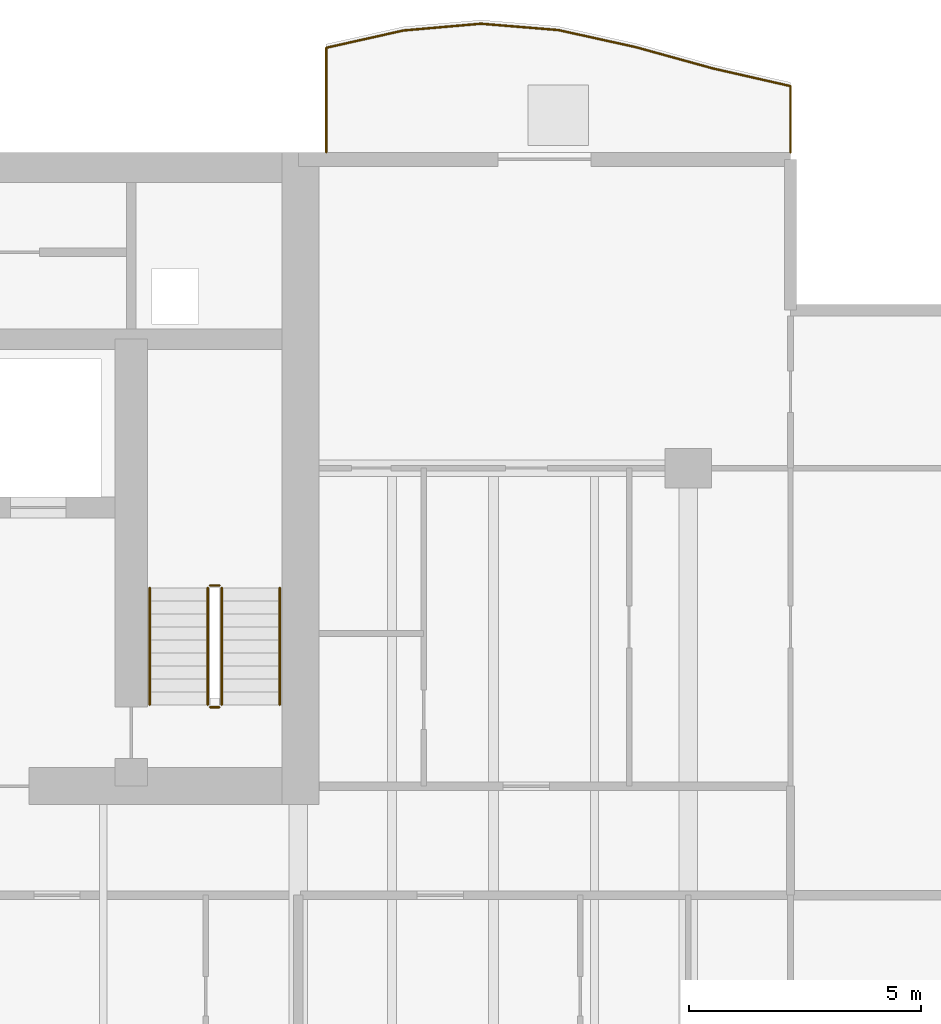
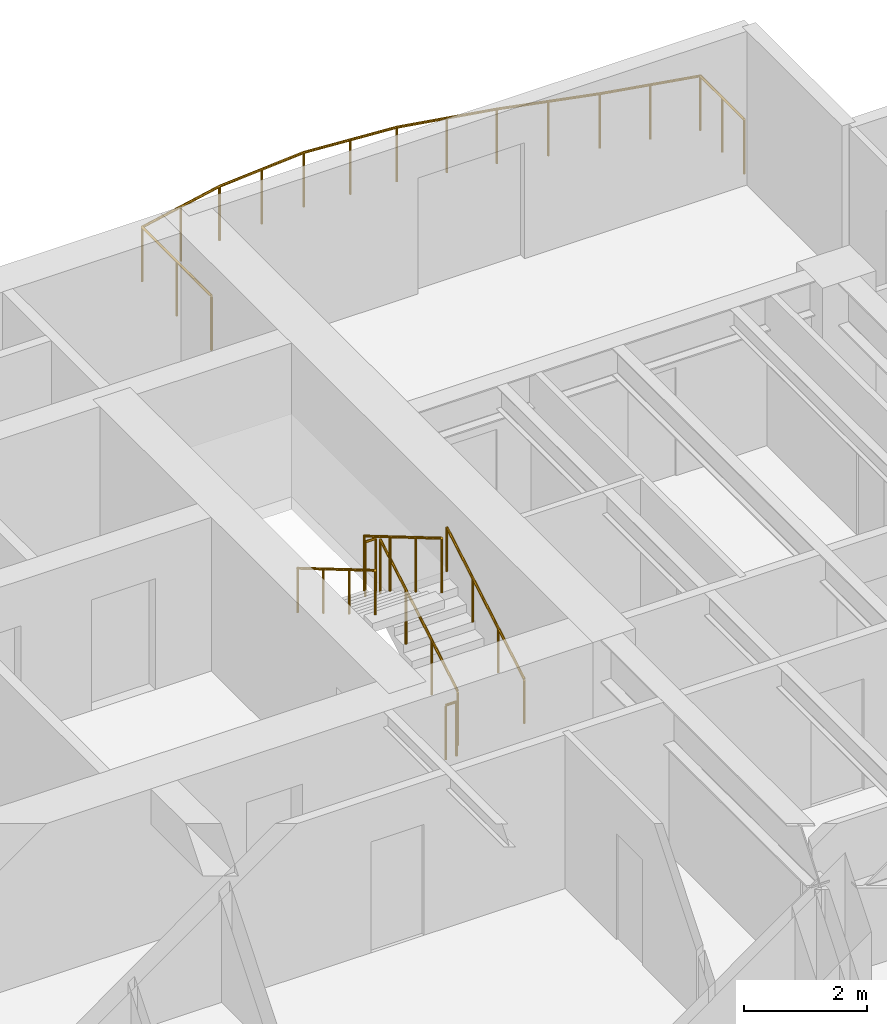
# One storey, part 16 of 17: 7 railings.
"""IFC4 building model written with IfcOpenShell, lengths in metres."""

from ifc_helpers import new_model, si_unit, direction, frame, origin, origin_2d, place, context, subcontext, project, spatial, circle, extrude, material, type_object, element, save


model = new_model("IFC4")

# Units and contexts
model_context = context("Model", 3, precision=1e-05, world=origin(), true_north=direction((0.0, 1.0)))
body_context = subcontext(model_context, "Body", "Model", "MODEL_VIEW")
ifc_project = project(units=[si_unit("LENGTHUNIT", "METRE"), si_unit("AREAUNIT", "SQUARE_METRE"), si_unit("VOLUMEUNIT", "CUBIC_METRE"), si_unit("PLANEANGLEUNIT", "RADIAN"), si_unit("MASSUNIT", "GRAM", prefix="KILO")], contexts=[model_context])

# Site, building, storey
site_placement = place(None, origin())
site = spatial("IfcSite", under=ifc_project, at=site_placement, CompositionType="ELEMENT")
building_placement = place(site_placement, origin())
building = spatial("IfcBuilding", under=site, at=building_placement, Name="Caelmar Bay Residences", CompositionType="ELEMENT")
storey_placement = place(building_placement, frame((0.0, 0.0, 109.199951171875)))
storey = spatial("IfcBuildingStorey", under=building, at=storey_placement, Name="L29", CompositionType="ELEMENT", Elevation=109.199951171875)

# Railings
ifc_material_1 = material(Name="Anodised bronze handrail with laminated hurricane glass infill", Category="glass")
railing_type_1 = type_object("IfcRailingType", Name="RL-BAL-1100", PredefinedType="BALUSTRADE", material=ifc_material_1)
railing_1_placement = place(storey_placement, frame((70.10009765625, 50.60009765625, 0.0)))
element("IfcRailing", 1, at=railing_1_placement, inside=storey, type_object=railing_type_1, Name="L29 north_east Balcony Balustrade", PredefinedType="BALUSTRADE", context=body_context, shape_type="SweptSolid", body=[
    extrude(circle(Radius=0.02392578125, at=origin_2d()), frame((0.0, 0.0, 1.076171875), z_axis=(0.0, 1.0, 0.0), x_axis=(-1.0, 0.0, 0.0)), (0.0, 0.0, 1.0), 1.426513671875),
    extrude(circle(Radius=0.02392578125, at=origin_2d()), frame((0.0, 1.426513671875, 1.076171875), z_axis=(-0.97505844271, 0.22194826717, 0.0), x_axis=(-0.22194826717, -0.97505844271, 0.0)), (0.0, 0.0, 1.0), 1.70947265625),
    extrude(circle(Radius=0.02392578125, at=origin_2d()), frame((-1.666748046875, 1.805908203125, 1.076171875), z_axis=(-0.963967650546, 0.266019489326, 0.0), x_axis=(-0.266019489326, -0.963967650546, 0.0)), (0.0, 0.0, 1.0), 1.72900390625),
    extrude(circle(Radius=0.02392578125, at=origin_2d()), frame((-3.33349609375, 2.265869140625, 1.076171875), z_axis=(-0.97654589597, 0.215309342724, 0.0), x_axis=(-0.215309342724, -0.97654589597, 0.0)), (0.0, 0.0, 1.0), 1.70654296875),
    extrude(circle(Radius=0.02392578125, at=origin_2d()), frame((-5.0, 2.63330078125, 1.076171875), z_axis=(-0.996652648034, 0.081752670704, 0.0), x_axis=(-0.081752670704, -0.996652648034, 0.0)), (0.0, 0.0, 1.0), 1.67236328125),
    extrude(circle(Radius=0.02392578125, at=origin_2d()), frame((-6.666748046875, 2.77001953125, 1.076171875), z_axis=(-0.996210962439, -0.086969640195, 0.0), x_axis=(0.086969640195, -0.996210962439, 0.0)), (0.0, 0.0, 1.0), 1.673095703125),
    extrude(circle(Radius=0.02392578125, at=origin_2d()), frame((-8.33349609375, 2.62451171875, 1.076171875), z_axis=(-0.975879974699, -0.21830775291, 0.0), x_axis=(0.21830775291, -0.975879974699, 0.0)), (0.0, 0.0, 1.0), 1.707763671875),
    extrude(circle(Radius=0.02392578125, at=origin_2d()), frame((-10.0, 2.251708984375, 1.076171875), z_axis=(0.0, -1.0, 0.0), x_axis=(1.0, 0.0, 0.0)), (0.0, 0.0, 1.0), 2.251708984375),
    extrude(circle(Radius=0.02099609375, at=origin_2d()), origin(), (0.0, 0.0, 1.0), 1.052001953125),
    extrude(circle(Radius=0.02099609375, at=origin_2d()), frame((0.0, 0.71337890625, 0.0)), (0.0, 0.0, 1.0), 1.052001953125),
    extrude(circle(Radius=0.02099609375, at=origin_2d()), frame((0.0, 1.426513671875, 0.0)), (0.0, 0.0, 1.0), 1.052001953125),
    extrude(circle(Radius=0.02099609375, at=origin_2d()), frame((-0.83349609375, 1.6162109375, 0.0)), (0.0, 0.0, 1.0), 1.052001953125),
    extrude(circle(Radius=0.02099609375, at=origin_2d()), frame((-1.666748046875, 1.805908203125, 0.0)), (0.0, 0.0, 1.0), 1.052001953125),
    extrude(circle(Radius=0.02099609375, at=origin_2d()), frame((-2.5, 2.035888671875, 0.0)), (0.0, 0.0, 1.0), 1.052001953125),
    extrude(circle(Radius=0.02099609375, at=origin_2d()), frame((-3.33349609375, 2.265869140625, 0.0)), (0.0, 0.0, 1.0), 1.052001953125),
    extrude(circle(Radius=0.02099609375, at=origin_2d()), frame((-4.166748046875, 2.44970703125, 0.0)), (0.0, 0.0, 1.0), 1.052001953125),
    extrude(circle(Radius=0.02099609375, at=origin_2d()), frame((-5.0, 2.63330078125, 0.0)), (0.0, 0.0, 1.0), 1.052001953125),
    extrude(circle(Radius=0.02099609375, at=origin_2d()), frame((-5.83349609375, 2.70166015625, 0.0)), (0.0, 0.0, 1.0), 1.052001953125),
    extrude(circle(Radius=0.02099609375, at=origin_2d()), frame((-6.666748046875, 2.77001953125, 0.0)), (0.0, 0.0, 1.0), 1.052001953125),
    extrude(circle(Radius=0.02099609375, at=origin_2d()), frame((-7.5, 2.697265625, 0.0)), (0.0, 0.0, 1.0), 1.052001953125),
    extrude(circle(Radius=0.02099609375, at=origin_2d()), frame((-8.33349609375, 2.62451171875, 0.0)), (0.0, 0.0, 1.0), 1.052001953125),
    extrude(circle(Radius=0.02099609375, at=origin_2d()), frame((-9.166748046875, 2.43798828125, 0.0)), (0.0, 0.0, 1.0), 1.052001953125),
    extrude(circle(Radius=0.02099609375, at=origin_2d()), frame((-10.0, 2.251708984375, 0.0)), (0.0, 0.0, 1.0), 1.052001953125),
    extrude(circle(Radius=0.02099609375, at=origin_2d()), frame((-10.0, 1.1259765625, 0.0)), (0.0, 0.0, 1.0), 1.052001953125),
    extrude(circle(Radius=0.02099609375, at=origin_2d()), frame((-10.0, 0.0, 0.0)), (0.0, 0.0, 1.0), 1.052001953125),
])
ifc_material_2 = material(Name="Painted galvanized steel stair guard 1100 mm", Category="steel")
railing_type_2 = type_object("IfcRailingType", Name="RL-GRD-1100", PredefinedType="GUARDRAIL", material=ifc_material_2)
railing_2_placement = place(storey_placement, frame((57.85009765625, 38.699951171875, 0.1650390625)))
element("IfcRailing", 2, at=railing_2_placement, inside=storey, type_object=railing_type_2, Name="L29 ST2 stair guard 1", PredefinedType="GUARDRAIL", context=body_context, shape_type="SweptSolid", body=[
    extrude(circle(Radius=0.02392578125, at=origin_2d()), frame((0.0, 0.0, 1.076171875), z_axis=(0.0, 0.86152411907, 0.507716645641), x_axis=(-1.0, 0.0, 0.0)), (0.0, 0.0, 1.0), 2.925048828125),
    extrude(circle(Radius=0.02099609375, at=origin_2d()), origin(), (0.0, 0.0, 1.0), 1.052001953125),
    extrude(circle(Radius=0.02099609375, at=origin_2d()), frame((0.0, 0.840087890625, 0.4951171875)), (0.0, 0.0, 1.0), 1.052001953125),
    extrude(circle(Radius=0.02099609375, at=origin_2d()), frame((0.0, 1.679931640625, 0.989990234375)), (0.0, 0.0, 1.0), 1.052001953125),
    extrude(circle(Radius=0.02099609375, at=origin_2d()), frame((0.0, 2.52001953125, 1.485107421875)), (0.0, 0.0, 1.0), 1.052001953125),
])
railing_3_placement = place(storey_placement, frame((57.800048828125, 41.27001953125, 1.650146484375)))
element("IfcRailing", 3, at=railing_3_placement, inside=storey, type_object=railing_type_2, Name="L29 ST2 stair guard 2", PredefinedType="GUARDRAIL", context=body_context, shape_type="SweptSolid", body=[
    extrude(circle(Radius=0.02392578125, at=origin_2d()), frame((0.0, 0.0, 1.076171875), z_axis=(-1.0, 0.0, 0.0), x_axis=(0.0, -1.0, 0.0)), (0.0, 0.0, 1.0), 0.199951171875),
    extrude(circle(Radius=0.02099609375, at=origin_2d()), origin(), (0.0, 0.0, 1.0), 1.052001953125),
    extrude(circle(Radius=0.02099609375, at=origin_2d()), frame((-0.199951171875, 0.0, 0.0)), (0.0, 0.0, 1.0), 1.052001953125),
])
railing_4_placement = place(storey_placement, frame((57.550048828125, 41.219970703125, 1.81494140625)))
element("IfcRailing", 4, at=railing_4_placement, inside=storey, type_object=railing_type_2, Name="L29 ST2 stair guard 3", PredefinedType="GUARDRAIL", context=body_context, shape_type="SweptSolid", body=[
    extrude(circle(Radius=0.02392578125, at=origin_2d()), frame((0.0, 0.0, 1.076171875), z_axis=(0.0, -0.86152411907, 0.507716645641), x_axis=(1.0, 0.0, 0.0)), (0.0, 0.0, 1.0), 2.925048828125),
    extrude(circle(Radius=0.02099609375, at=origin_2d()), origin(), (0.0, 0.0, 1.0), 1.052001953125),
    extrude(circle(Radius=0.02099609375, at=origin_2d()), frame((0.0, -0.840087890625, 0.4951171875)), (0.0, 0.0, 1.0), 1.052001953125),
    extrude(circle(Radius=0.02099609375, at=origin_2d()), frame((0.0, -1.679931640625, 0.989990234375)), (0.0, 0.0, 1.0), 1.052001953125),
    extrude(circle(Radius=0.02099609375, at=origin_2d()), frame((0.0, -2.52001953125, 1.485107421875)), (0.0, 0.0, 1.0), 1.052001953125),
])
railing_5_placement = place(storey_placement, frame((57.800048828125, 38.64990234375, 0.0)))
element("IfcRailing", 5, at=railing_5_placement, inside=storey, type_object=railing_type_2, Name="L29 ST2 stair guard 4", PredefinedType="GUARDRAIL", context=body_context, shape_type="SweptSolid", body=[
    extrude(circle(Radius=0.02392578125, at=origin_2d()), frame((0.0, 0.0, 1.076171875), z_axis=(-1.0, 0.0, 0.0), x_axis=(0.0, -1.0, 0.0)), (0.0, 0.0, 1.0), 0.199951171875),
    extrude(circle(Radius=0.02099609375, at=origin_2d()), origin(), (0.0, 0.0, 1.0), 1.052001953125),
    extrude(circle(Radius=0.02099609375, at=origin_2d()), frame((-0.199951171875, 0.0, 0.0)), (0.0, 0.0, 1.0), 1.052001953125),
])
ifc_material_3 = material(Name="Brushed bronze stainless-steel tubular handrail 900 mm", Category="steel")
railing_type_3 = type_object("IfcRailingType", Name="RL-HND-900", PredefinedType="HANDRAIL", material=ifc_material_3)
railing_6_placement = place(storey_placement, frame((59.10009765625, 38.699951171875, 0.1650390625)))
element("IfcRailing", 6, at=railing_6_placement, inside=storey, type_object=railing_type_3, Name="L29 ST2 stair handrail 1", PredefinedType="HANDRAIL", context=body_context, shape_type="SweptSolid", body=[
    extrude(circle(Radius=0.02392578125, at=origin_2d()), frame((0.0, 0.0, 0.8759765625), z_axis=(0.0, 0.86152411907, 0.507716645641), x_axis=(-1.0, 0.0, 0.0)), (0.0, 0.0, 1.0), 2.925048828125),
    extrude(circle(Radius=0.02099609375, at=origin_2d()), origin(), (0.0, 0.0, 1.0), 0.851806640625),
    extrude(circle(Radius=0.02099609375, at=origin_2d()), frame((0.0, 0.840087890625, 0.4951171875)), (0.0, 0.0, 1.0), 0.851806640625),
    extrude(circle(Radius=0.02099609375, at=origin_2d()), frame((0.0, 1.679931640625, 0.989990234375)), (0.0, 0.0, 1.0), 0.851806640625),
    extrude(circle(Radius=0.02099609375, at=origin_2d()), frame((0.0, 2.52001953125, 1.485107421875)), (0.0, 0.0, 1.0), 0.851806640625),
])
railing_7_placement = place(storey_placement, frame((56.300048828125, 41.219970703125, 1.81494140625)))
element("IfcRailing", 7, at=railing_7_placement, inside=storey, type_object=railing_type_3, Name="L29 ST2 stair handrail 2", PredefinedType="HANDRAIL", context=body_context, shape_type="SweptSolid", body=[
    extrude(circle(Radius=0.02392578125, at=origin_2d()), frame((0.0, 0.0, 0.8759765625), z_axis=(0.0, -0.86152411907, 0.507716645641), x_axis=(1.0, 0.0, 0.0)), (0.0, 0.0, 1.0), 2.925048828125),
    extrude(circle(Radius=0.02099609375, at=origin_2d()), origin(), (0.0, 0.0, 1.0), 0.851806640625),
    extrude(circle(Radius=0.02099609375, at=origin_2d()), frame((0.0, -0.840087890625, 0.4951171875)), (0.0, 0.0, 1.0), 0.851806640625),
    extrude(circle(Radius=0.02099609375, at=origin_2d()), frame((0.0, -1.679931640625, 0.989990234375)), (0.0, 0.0, 1.0), 0.851806640625),
    extrude(circle(Radius=0.02099609375, at=origin_2d()), frame((0.0, -2.52001953125, 1.485107421875)), (0.0, 0.0, 1.0), 0.851806640625),
])

save(model, "model.ifc")
